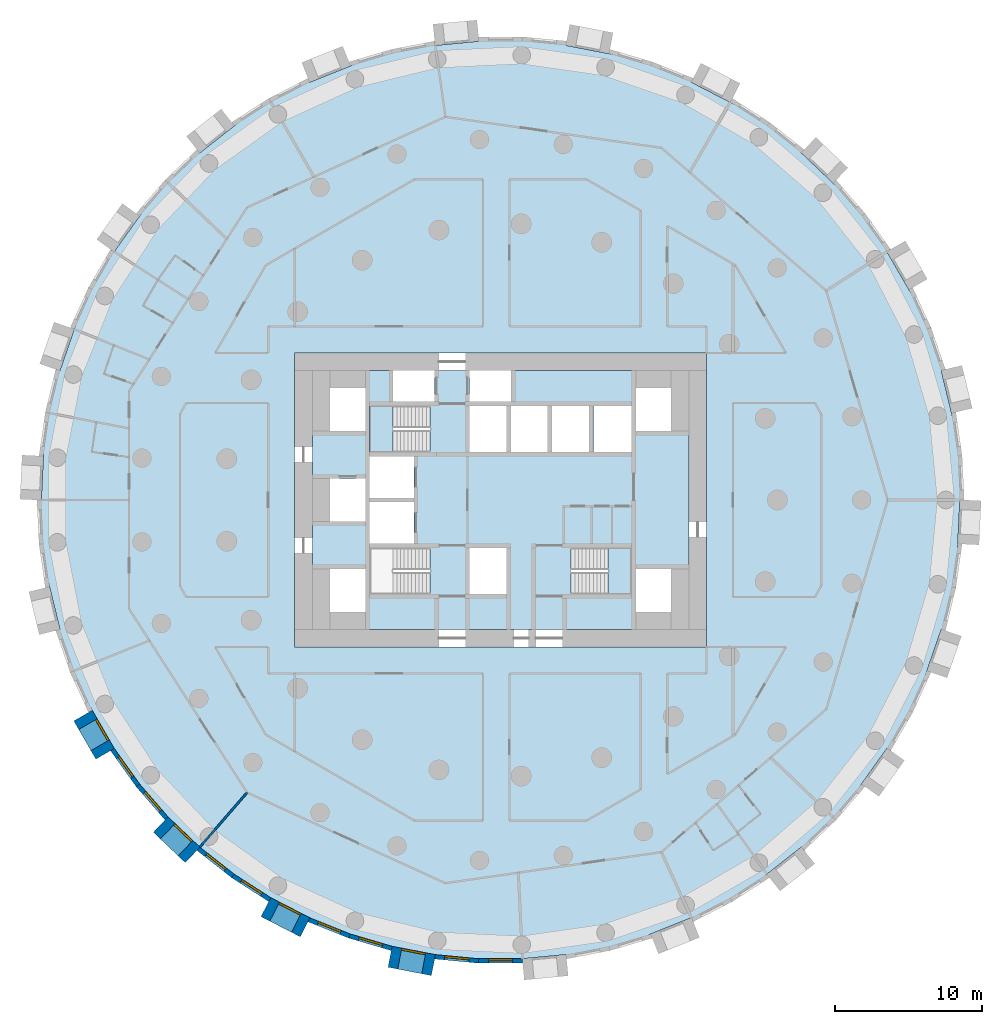
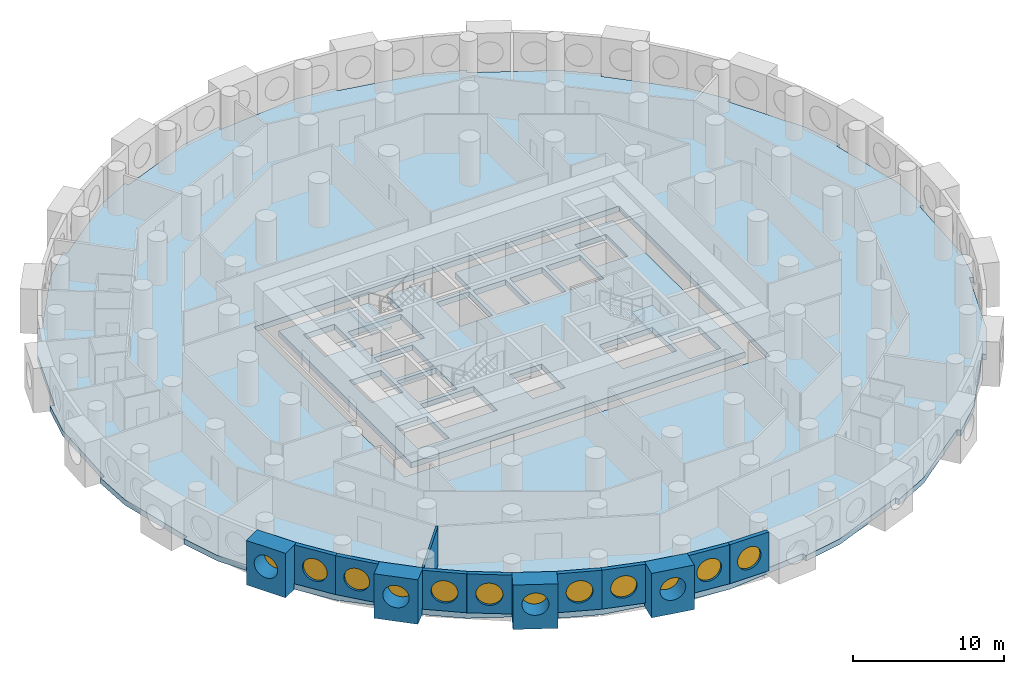
# One storey, part 2 of 11: 13 walls, 12 windows, 4 slabs, 12 openings, 2 elements without a shape of their own.
"""IFC4 building model written with IfcOpenShell, lengths in metres."""

from ifc_helpers import new_model, si_unit, direction, frame, frame_2d, origin, origin_2d, place, context, subcontext, project, spatial, polyline, rectangle, circle, outline, extrude, material, layer, layer_set, type_object, element, fill, aggregate, save


model = new_model("IFC4")

# Units and contexts
model_context = context("Model", 3, precision=1e-05, world=origin(), true_north=direction((0.0, 1.0)))
body_context = subcontext(model_context, "Body", "Model", "MODEL_VIEW")
ifc_project = project(units=[si_unit("LENGTHUNIT", "METRE"), si_unit("AREAUNIT", "SQUARE_METRE"), si_unit("VOLUMEUNIT", "CUBIC_METRE"), si_unit("PLANEANGLEUNIT", "RADIAN"), si_unit("MASSUNIT", "GRAM", prefix="KILO")], contexts=[model_context])

# Site, building, storey
site_placement = place(None, origin())
site = spatial("IfcSite", under=ifc_project, at=site_placement, CompositionType="ELEMENT")
building_placement = place(site_placement, origin())
building = spatial("IfcBuilding", under=site, at=building_placement, Name="Tracery Tower", CompositionType="ELEMENT")
storey_placement = place(building_placement, frame((0.0, 0.0, 67.800048828125)))
storey = spatial("IfcBuildingStorey", under=building, at=storey_placement, Name="L16", CompositionType="ELEMENT", Elevation=67.800048828125)

# Slabs
ifc_material_1 = material(Name="Concrete C60/75", Category="concrete")
ifc_layer_1 = layer(ifc_material_1, 0.449951171875)
ifc_layer_set_1 = layer_set([ifc_layer_1], Name="Core floor slab 450 C60")
slab_type_1 = type_object("IfcSlabType", Name="Core floor slab 450 C60", PredefinedType="FLOOR", material=ifc_layer_set_1)
slab_1_placement = place(storey_placement, frame((0.0, 0.0, -0.449951171875)))
element("IfcSlab", 1, at=slab_1_placement, inside=storey, type_object=slab_type_1, Name="L16 core floor 1", PredefinedType="FLOOR", context=body_context, shape_type="SweptSolid", body=[
    extrude(outline(polyline([(-12.800048828125, 8.800048828125), (-7.300048828125, 8.800048828125), (-7.300048828125, 6.699951171875), (-4.5, 6.699951171875), (-4.5, 8.800048828125), (-2.10009765625, 8.800048828125), (-2.10009765625, 6.699951171875), (0.699951171875, 6.699951171875), (0.699951171875, 8.800048828125), (12.800048828125, 8.800048828125), (12.800048828125, -8.800048828125), (-12.800048828125, -8.800048828125), (-12.800048828125, 8.800048828125)]), holes=[polyline([(11.60009765625, -7.60009765625), (11.60009765625, -4.699951171875), (9.199951171875, -4.699951171875), (9.199951171875, -7.60009765625), (11.60009765625, -7.60009765625)]), polyline([(11.60009765625, 4.699951171875), (11.60009765625, 7.60009765625), (9.199951171875, 7.60009765625), (9.199951171875, 4.699951171875), (11.60009765625, 4.699951171875)]), polyline([(4.800537109375, -3.25), (4.800537109375, -6.39990234375), (8.89990234375, -6.39990234375), (8.89990234375, -3.25), (4.800537109375, -3.25)]), polyline([(6.300048828125, 3.25), (8.89990234375, 3.25), (8.89990234375, 6.39990234375), (6.300048828125, 6.39990234375), (6.300048828125, 3.25)]), polyline([(3.5, 3.25), (6.0, 3.25), (6.0, 6.39990234375), (3.5, 6.39990234375), (3.5, 3.25)]), polyline([(3.199951171875, 3.25), (3.199951171875, 6.39990234375), (0.699951171875, 6.39990234375), (0.699951171875, 3.25), (3.199951171875, 3.25)]), polyline([(-2.10009765625, 3.25), (0.39990234375, 3.25), (0.39990234375, 6.39990234375), (-2.10009765625, 6.39990234375), (-2.10009765625, 3.25)]), polyline([(0.39990234375, -6.39990234375), (0.39990234375, -3.25), (-2.10009765625, -3.25), (-2.10009765625, -6.39990234375), (0.39990234375, -6.39990234375)]), polyline([(-4.800537109375, -3.25), (-8.89990234375, -3.25), (-8.89990234375, -6.39990234375), (-4.800537109375, -6.39990234375), (-4.800537109375, -3.25)]), polyline([(-4.800537109375, 6.39990234375), (-8.89990234375, 6.39990234375), (-8.89990234375, 3.25), (-4.800537109375, 3.25), (-4.800537109375, 6.39990234375)]), polyline([(-8.89990234375, -2.949951171875), (-5.89990234375, -2.949951171875), (-5.89990234375, -0.14990234375), (-8.89990234375, -0.14990234375), (-8.89990234375, -2.949951171875)]), polyline([(-5.89990234375, 0.14990234375), (-5.89990234375, 2.949951171875), (-8.89990234375, 2.949951171875), (-8.89990234375, 0.14990234375), (-5.89990234375, 0.14990234375)]), polyline([(-11.60009765625, 4.699951171875), (-9.199951171875, 4.699951171875), (-9.199951171875, 7.60009765625), (-11.60009765625, 7.60009765625), (-11.60009765625, 4.699951171875)]), polyline([(-9.199951171875, -7.60009765625), (-9.199951171875, -4.699951171875), (-11.60009765625, -4.699951171875), (-11.60009765625, -7.60009765625), (-9.199951171875, -7.60009765625)]), polyline([(-9.199951171875, -1.449951171875), (-9.199951171875, 1.449951171875), (-11.60009765625, 1.449951171875), (-11.60009765625, -1.449951171875), (-9.199951171875, -1.449951171875)])]), origin(), (0.0, 0.0, 1.0), 0.449951171875),
])
ifc_material_2 = material(Name="Concrete C50/60", Category="concrete")
ifc_layer_2 = layer(ifc_material_2, 0.449951171875)
ifc_layer_set_2 = layer_set([ifc_layer_2], Name="Floor slab 450")
slab_type_2 = type_object("IfcSlabType", Name="Floor slab 450", PredefinedType="FLOOR", material=ifc_layer_set_2)
slab_2_placement = place(storey_placement, frame((0.0, 0.0, -0.449951171875)))
element("IfcSlab", 2, at=slab_2_placement, inside=storey, type_object=slab_type_2, Name="Floor slab L16", PredefinedType="FLOOR", context=body_context, shape_type="SweptSolid", body=[
    extrude(outline(polyline([(30.663330078125, 5.8955078125), (30.663330078125, 5.895263671875), (30.66015625, 5.908447265625), (30.659912109375, 5.9091796875), (30.6015625, 6.150390625), (29.9560546875, 8.810791015625), (30.24755859375, 8.881591796875), (30.24755859375, 8.881591796875), (29.266357421875, 11.716552734375), (27.760498046875, 14.29541015625), (27.760498046875, 14.29541015625), (27.7548828125, 14.3046875), (27.753173828125, 14.307861328125), (26.267578125, 16.881103515625), (26.267578125, 16.881103515625), (26.260498046875, 16.8935546875), (26.52001953125, 17.04345703125), (26.520263671875, 17.04345703125), (24.780029296875, 19.4873046875), (22.6083984375, 21.537353515625), (22.6083984375, 21.537353515625), (21.854736328125, 22.256103515625), (20.447509765625, 23.59765625), (20.447509765625, 23.59765625), (20.437255859375, 23.607666015625), (20.64404296875, 23.824462890625), (20.644287109375, 23.82470703125), (18.2861328125, 25.67919921875), (15.625, 27.034423828125), (15.624755859375, 27.034423828125), (15.614990234375, 27.03955078125), (15.612060546875, 27.041015625), (13.0693359375, 28.351806640625), (12.958251953125, 28.4091796875), (13.095703125, 28.67578125), (10.310791015625, 29.790771484375), (7.37548828125, 30.341552734375), (7.37548828125, 30.34130859375), (7.114501953125, 30.3916015625), (4.443603515625, 30.906494140625), (4.443603515625, 30.906494140625), (4.4296875, 30.9091796875), (4.486328125, 31.203369140625), (4.486328125, 31.20361328125), (1.5, 31.489013671875), (-1.471435546875, 31.190185546875), (-1.471435546875, 31.190185546875), (-1.859375, 31.1533203125), (-4.443603515625, 30.906494140625), (-4.443603515625, 30.906494140625), (-4.4580078125, 30.905029296875), (-4.486328125, 31.20361328125), (-7.43212890625, 30.635986328125), (-10.19921875, 29.512451171875), (-10.19921875, 29.51220703125), (-12.984375, 28.397216796875), (-13.095703125, 28.67578125), (-13.095703125, 28.67578125), (-15.76220703125, 27.301025390625), (-18.1005859375, 25.443359375), (-18.1005859375, 25.443359375), (-18.103271484375, 25.44140625), (-18.11181640625, 25.4345703125), (-20.447509765625, 23.59765625), (-20.447509765625, 23.59765625), (-20.458740234375, 23.5888671875), (-20.644287109375, 23.82470703125), (-22.8154296875, 21.75439453125), (-24.53564453125, 19.313232421875), (-24.53564453125, 19.313232421875), (-24.81201171875, 18.9248046875), (-26.267578125, 16.881103515625), (-26.267578125, 16.881103515625), (-26.27587890625, 16.869384765625), (-26.520263671875, 17.04345703125), (-28.020263671875, 14.4453125), (-28.98291015625, 11.618408203125), (-28.98291015625, 11.618408203125), (-29.964111328125, 8.783447265625), (-30.24755859375, 8.881591796875), (-30.954833984375, 5.966064453125), (-31.082275390625, 2.982421875), (-31.082275390625, 2.982421875), (-31.224853515625, -0.014404296875), (-31.524658203125, 0.0), (-31.524658203125, 0.0), (-31.3818359375, -2.99658203125), (-30.663330078125, -5.8955078125), (-30.663330078125, -5.895263671875), (-30.66015625, -5.908447265625), (-30.659912109375, -5.9091796875), (-30.6015625, -6.150390625), (-29.9560546875, -8.810791015625), (-30.24755859375, -8.881591796875), (-30.24755859375, -8.881591796875), (-29.266357421875, -11.716552734375), (-27.760498046875, -14.29541015625), (-27.760498046875, -14.29541015625), (-27.7548828125, -14.3046875), (-27.753173828125, -14.307861328125), (-26.267578125, -16.881103515625), (-26.267578125, -16.881103515625), (-26.260498046875, -16.8935546875), (-26.52001953125, -17.04345703125), (-26.520263671875, -17.04345703125), (-24.780029296875, -19.4873046875), (-22.6083984375, -21.537353515625), (-22.6083984375, -21.537353515625), (-21.854736328125, -22.256103515625), (-20.447509765625, -23.59765625), (-20.447509765625, -23.59765625), (-20.437255859375, -23.607666015625), (-20.64404296875, -23.824462890625), (-20.644287109375, -23.82470703125), (-18.2861328125, -25.67919921875), (-15.625, -27.034423828125), (-15.624755859375, -27.034423828125), (-15.614990234375, -27.03955078125), (-15.612060546875, -27.041015625), (-13.0693359375, -28.351806640625), (-12.958251953125, -28.4091796875), (-13.095703125, -28.67578125), (-10.310791015625, -29.790771484375), (-7.37548828125, -30.341552734375), (-7.37548828125, -30.34130859375), (-7.114501953125, -30.3916015625), (-4.443603515625, -30.906494140625), (-4.443603515625, -30.906494140625), (-4.4296875, -30.9091796875), (-4.486328125, -31.203369140625), (-4.486328125, -31.20361328125), (-1.5, -31.489013671875), (1.471435546875, -31.190185546875), (1.471435546875, -31.190185546875), (1.859375, -31.1533203125), (4.443603515625, -30.906494140625), (4.443603515625, -30.906494140625), (4.4580078125, -30.905029296875), (4.486328125, -31.20361328125), (7.43212890625, -30.635986328125), (10.19921875, -29.512451171875), (10.19921875, -29.51220703125), (12.984375, -28.397216796875), (13.095703125, -28.67578125), (13.095703125, -28.67578125), (15.76220703125, -27.301025390625), (18.1005859375, -25.443359375), (18.1005859375, -25.443359375), (18.103271484375, -25.44140625), (18.11181640625, -25.4345703125), (20.447509765625, -23.59765625), (20.447509765625, -23.59765625), (20.458740234375, -23.5888671875), (20.644287109375, -23.82470703125), (22.8154296875, -21.75439453125), (24.53564453125, -19.313232421875), (24.53564453125, -19.313232421875), (24.81201171875, -18.9248046875), (26.267578125, -16.881103515625), (26.267578125, -16.881103515625), (26.27587890625, -16.869384765625), (26.520263671875, -17.04345703125), (28.020263671875, -14.4453125), (28.98291015625, -11.618408203125), (28.98291015625, -11.618408203125), (29.964111328125, -8.783447265625), (30.24755859375, -8.881591796875), (30.954833984375, -5.966064453125), (31.082275390625, -2.982421875), (31.082275390625, -2.982421875), (31.224853515625, 0.014404296875), (31.524658203125, 0.0), (31.3818359375, 2.99658203125), (30.663330078125, 5.8955078125)]), holes=[polyline([(-14.0, -10.0), (14.0, -10.0), (14.0, 10.0), (-14.0, 10.0), (-14.0, -10.0)])]), origin(), (0.0, 0.0, 1.0), 0.449951171875),
])

# Stair, slab
ifc_material_3 = material(Name="Concrete C32/40", Category="concrete")
stair_type = type_object("IfcStairType", Name="Core stair 22 risers", PredefinedType="HALF_TURN_STAIR", material=ifc_material_3)
stair_1_placement = place(storey_placement, origin())
stair_1 = element("IfcStair", 3, at=stair_1_placement, inside=storey, type_object=stair_type, Name="L16 stair ST3", PredefinedType="HALF_TURN_STAIR")
ifc_material_4 = material(Name="Concrete C32/40", Category="concrete")
ifc_layer_3 = layer(ifc_material_4, 0.199951171875)
ifc_layer_set_3 = layer_set([ifc_layer_3], Name="Stair landing slab 200")
slab_type_3 = type_object("IfcSlabType", Name="Stair landing slab 200", PredefinedType="LANDING", material=ifc_layer_set_3)
slab_3_placement = place(storey_placement, frame((0.0, 0.0, 1.599853515625)))
slab_3 = element("IfcSlab", 4, at=slab_3_placement, type_object=slab_type_3, Name="ST3 landing 1", PredefinedType="LANDING", context=body_context, shape_type="SweptSolid", body=[
    extrude(outline(polyline([(-7.29931640625, 6.39990234375), (-8.89990234375, 6.39990234375), (-8.89990234375, 3.25), (-7.29931640625, 3.25), (-7.29931640625, 6.39990234375)])), origin(), (0.0, 0.0, 1.0), 0.2001953125),
])
aggregate(stair_1, [slab_3])

stair_2_placement = place(storey_placement, origin())
stair_2 = element("IfcStair", 5, at=stair_2_placement, inside=storey, type_object=stair_type, Name="L16 stair ST2", PredefinedType="HALF_TURN_STAIR")
slab_4_placement = place(storey_placement, frame((0.0, 0.0, 1.599853515625)))
slab_4 = element("IfcSlab", 6, at=slab_4_placement, type_object=slab_type_3, Name="ST2 landing 1", PredefinedType="LANDING", context=body_context, shape_type="SweptSolid", body=[
    extrude(outline(polyline([(7.29931640625, -6.39990234375), (8.89990234375, -6.39990234375), (8.89990234375, -3.25), (7.29931640625, -3.25), (7.29931640625, -6.39990234375)])), origin(), (0.0, 0.0, 1.0), 0.2001953125),
])
aggregate(stair_2, [slab_4])

# Wall, opening, window
ifc_material_5 = material(Name="Precast concrete C50/60", Category="concrete")
ifc_layer_4 = layer(ifc_material_5, 1.449951171875)
ifc_layer_set_4 = layer_set([ifc_layer_4], Name="Deep-set bay unit 3000 x 3600, slab edge 450")
wall_type_1 = type_object("IfcWallType", Name="Deep-set bay unit 3000 x 3600, slab edge 450", PredefinedType="ELEMENTEDWALL", material=ifc_layer_set_4)
wall_1_placement = place(storey_placement, frame((-28.38818359375, -14.657958984375, -0.449951171875), z_axis=(0.0, 0.0, 1.0), x_axis=(0.499990139034, -0.866031096941, 0.0)))
wall_1 = element("IfcWall", 7, at=wall_1_placement, inside=storey, type_object=wall_type_1, Name="Deep-set bay unit 39 at L16", PredefinedType="ELEMENTEDWALL", context=body_context, shape_type="SweptSolid", body=[
    extrude(rectangle(XDim=3.0, YDim=1.449951171875, at=frame_2d((1.5, 0.0))), origin(), (0.0, 0.0, 1.0), 3.599853515625),
])
opening_1_placement = place(wall_1_placement, frame((1.5, 0.0, 2.0)))
opening_1 = element("IfcOpeningElement", 8, at=opening_1_placement, cuts=wall_1, Name="Opening WN1", PredefinedType="OPENING", context=body_context, shape_type="SweptSolid", body=[
    extrude(circle(Radius=0.9000244140625, at=origin_2d()), frame((0.0, 0.73486328125, 0.0), z_axis=(0.0, -1.0, 0.0), x_axis=(1.0, 0.0, 0.0)), (0.0, 0.0, 1.0), 1.469970703125),
])
ifc_material_6 = material(Name="Aluminium frame with tinted double glazing", Category="aluminium")
window_type = type_object("IfcWindowType", Name="Round window 1800", PartitioningType="SINGLE_PANEL", PredefinedType="WINDOW", material=ifc_material_6)
window_1_placement = place(opening_1_placement, origin())
window_1 = element("IfcWindow", 9, at=window_1_placement, inside=storey, type_object=window_type, Name="Round window 39 at L16", OverallHeight=1.800048828125, OverallWidth=1.800048828125, PartitioningType="SINGLE_PANEL", PredefinedType="WINDOW", context=body_context, shape_type="SweptSolid", body=[
    extrude(circle(Radius=0.9000244140625, at=origin_2d()), frame((0.0, 0.69482421875, 0.0), z_axis=(0.0, -1.0, 0.0), x_axis=(1.0, 0.0, 0.0)), (0.0, 0.0, 1.0), 0.10009765625),
])
fill(opening_1, window_1)

wall_2_placement = place(storey_placement, frame((-23.108642578125, -22.06201171875, -0.449951171875), z_axis=(0.0, 0.0, 1.0), x_axis=(0.723712023899, -0.690102098579, 0.0)))
wall_2 = element("IfcWall", 10, at=wall_2_placement, inside=storey, type_object=wall_type_1, Name="Deep-set bay unit 42 at L16", PredefinedType="ELEMENTEDWALL", context=body_context, shape_type="SweptSolid", body=[
    extrude(rectangle(XDim=3.0, YDim=1.449951171875, at=frame_2d((1.5, 0.0))), origin(), (0.0, 0.0, 1.0), 3.599853515625),
])
opening_2_placement = place(wall_2_placement, frame((1.5, 0.0, 2.0)))
opening_2 = element("IfcOpeningElement", 11, at=opening_2_placement, cuts=wall_2, Name="Opening WN1", PredefinedType="OPENING", context=body_context, shape_type="SweptSolid", body=[
    extrude(circle(Radius=0.9000244140625, at=origin_2d()), frame((0.0, 0.73486328125, 0.0), z_axis=(0.0, -1.0, 0.0), x_axis=(1.0, 0.0, 0.0)), (0.0, 0.0, 1.0), 1.469970703125),
])
window_2_placement = place(opening_2_placement, origin())
window_2 = element("IfcWindow", 12, at=window_2_placement, inside=storey, type_object=window_type, Name="Round window 42 at L16", OverallHeight=1.800048828125, OverallWidth=1.800048828125, PartitioningType="SINGLE_PANEL", PredefinedType="WINDOW", context=body_context, shape_type="SweptSolid", body=[
    extrude(circle(Radius=0.9000244140625, at=origin_2d()), frame((0.0, 0.69482421875, 0.0), z_axis=(0.0, -1.0, 0.0), x_axis=(1.0, 0.0, 0.0)), (0.0, 0.0, 1.0), 0.10009765625),
])
fill(opening_2, window_2)

wall_3_placement = place(storey_placement, frame((-15.95703125, -27.678955078125, -0.449951171875), z_axis=(0.0, 0.0, 1.0), x_axis=(0.888858064689, -0.458182650083, 0.0)))
wall_3 = element("IfcWall", 13, at=wall_3_placement, inside=storey, type_object=wall_type_1, Name="Deep-set bay unit 45 at L16", PredefinedType="ELEMENTEDWALL", context=body_context, shape_type="SweptSolid", body=[
    extrude(rectangle(XDim=3.0, YDim=1.449951171875, at=frame_2d((1.5, 0.0))), origin(), (0.0, 0.0, 1.0), 3.599853515625),
])
opening_3_placement = place(wall_3_placement, frame((1.5, 0.0, 2.0)))
opening_3 = element("IfcOpeningElement", 14, at=opening_3_placement, cuts=wall_3, Name="Opening WN1", PredefinedType="OPENING", context=body_context, shape_type="SweptSolid", body=[
    extrude(circle(Radius=0.9000244140625, at=origin_2d()), frame((0.0, 0.73486328125, 0.0), z_axis=(0.0, -1.0, 0.0), x_axis=(1.0, 0.0, 0.0)), (0.0, 0.0, 1.0), 1.469970703125),
])
window_3_placement = place(opening_3_placement, origin())
window_3 = element("IfcWindow", 15, at=window_3_placement, inside=storey, type_object=window_type, Name="Round window 45 at L16", OverallHeight=1.800048828125, OverallWidth=1.800048828125, PartitioningType="SINGLE_PANEL", PredefinedType="WINDOW", context=body_context, shape_type="SweptSolid", body=[
    extrude(circle(Radius=0.9000244140625, at=origin_2d()), frame((0.0, 0.69482421875, 0.0), z_axis=(0.0, -1.0, 0.0), x_axis=(1.0, 0.0, 0.0)), (0.0, 0.0, 1.0), 0.10009765625),
])
fill(opening_3, window_3)

wall_4_placement = place(storey_placement, frame((-7.5126953125, -31.05322265625, -0.449951171875), z_axis=(0.0, 0.0, 1.0), x_axis=(0.981921602273, -0.189288052949, 0.0)))
wall_4 = element("IfcWall", 16, at=wall_4_placement, inside=storey, type_object=wall_type_1, Name="Deep-set bay unit 48 at L16", PredefinedType="ELEMENTEDWALL", context=body_context, shape_type="SweptSolid", body=[
    extrude(rectangle(XDim=3.0, YDim=1.449951171875, at=frame_2d((1.5, 0.0))), origin(), (0.0, 0.0, 1.0), 3.599853515625),
])
opening_4_placement = place(wall_4_placement, frame((1.5, 0.0, 2.0)))
opening_4 = element("IfcOpeningElement", 17, at=opening_4_placement, cuts=wall_4, Name="Opening WN1", PredefinedType="OPENING", context=body_context, shape_type="SweptSolid", body=[
    extrude(circle(Radius=0.9000244140625, at=origin_2d()), frame((0.0, 0.73486328125, 0.0), z_axis=(0.0, -1.0, 0.0), x_axis=(1.0, 0.0, 0.0)), (0.0, 0.0, 1.0), 1.469970703125),
])
window_4_placement = place(opening_4_placement, origin())
window_4 = element("IfcWindow", 18, at=window_4_placement, inside=storey, type_object=window_type, Name="Round window 48 at L16", OverallHeight=1.800048828125, OverallWidth=1.800048828125, PartitioningType="SINGLE_PANEL", PredefinedType="WINDOW", context=body_context, shape_type="SweptSolid", body=[
    extrude(circle(Radius=0.9000244140625, at=origin_2d()), frame((0.0, 0.69482421875, 0.0), z_axis=(0.0, -1.0, 0.0), x_axis=(1.0, 0.0, 0.0)), (0.0, 0.0, 1.0), 0.10009765625),
])
fill(opening_4, window_4)

ifc_material_7 = material(Name="Precast concrete C50/60", Category="concrete")
ifc_layer_5 = layer(ifc_material_7, 0.300048828125)
ifc_layer_set_5 = layer_set([ifc_layer_5], Name="Facade panel 3000 x 3150")
wall_type_2 = type_object("IfcWallType", Name="Facade panel 3000 x 3150", PredefinedType="SOLIDWALL", material=ifc_layer_set_5)
wall_5_placement = place(storey_placement, frame((-26.390380859375, -16.96728515625, 0.0), z_axis=(0.0, 0.0, 1.0), x_axis=(0.580113774115, -0.814535456, 0.0)))
wall_5 = element("IfcWall", 19, at=wall_5_placement, inside=storey, type_object=wall_type_2, Name="Facade panel 40 at L16", PredefinedType="SOLIDWALL", context=body_context, shape_type="SweptSolid", body=[
    extrude(rectangle(XDim=2.979736328125, YDim=0.300048828125, at=frame_2d((1.48974609375, 0.0))), origin(), (0.0, 0.0, 1.0), 3.14990234375),
])
opening_5_placement = place(wall_5_placement, frame((1.48974609375, 0.0, 1.5498046875)))
opening_5 = element("IfcOpeningElement", 20, at=opening_5_placement, cuts=wall_5, Name="Opening WN1", PredefinedType="OPENING", context=body_context, shape_type="SweptSolid", body=[
    extrude(circle(Radius=0.9000244140625, at=origin_2d()), frame((0.0, 0.159912109375, 0.0), z_axis=(0.0, -1.0, 0.0), x_axis=(1.0, 0.0, 0.0)), (0.0, 0.0, 1.0), 0.320068359375),
])
window_5_placement = place(opening_5_placement, origin())
window_5 = element("IfcWindow", 21, at=window_5_placement, inside=storey, type_object=window_type, Name="Round window 40 at L16", OverallHeight=1.800048828125, OverallWidth=1.800048828125, PartitioningType="SINGLE_PANEL", PredefinedType="WINDOW", context=body_context, shape_type="SweptSolid", body=[
    extrude(circle(Radius=0.9000244140625, at=origin_2d()), frame((0.0, 0.1201171875, 0.0), z_axis=(0.0, -1.0, 0.0), x_axis=(1.0, 0.0, 0.0)), (0.0, 0.0, 1.0), 0.10009765625),
])
fill(opening_5, window_5)

wall_6_placement = place(storey_placement, frame((-24.661865234375, -19.394287109375, 0.0), z_axis=(0.0, 0.0, 1.0), x_axis=(0.654830712471, -0.755775587066, 0.0)))
wall_6 = element("IfcWall", 22, at=wall_6_placement, inside=storey, type_object=wall_type_2, Name="Facade panel 41 at L16", PredefinedType="SOLIDWALL", context=body_context, shape_type="SweptSolid", body=[
    extrude(rectangle(XDim=2.979736328125, YDim=0.300048828125, at=frame_2d((1.48974609375, 0.0))), origin(), (0.0, 0.0, 1.0), 3.14990234375),
])
opening_6_placement = place(wall_6_placement, frame((1.48974609375, 0.0, 1.5498046875)))
opening_6 = element("IfcOpeningElement", 23, at=opening_6_placement, cuts=wall_6, Name="Opening WN1", PredefinedType="OPENING", context=body_context, shape_type="SweptSolid", body=[
    extrude(circle(Radius=0.9000244140625, at=origin_2d()), frame((0.0, 0.159912109375, 0.0), z_axis=(0.0, -1.0, 0.0), x_axis=(1.0, 0.0, 0.0)), (0.0, 0.0, 1.0), 0.320068359375),
])
window_6_placement = place(opening_6_placement, origin())
window_6 = element("IfcWindow", 24, at=window_6_placement, inside=storey, type_object=window_type, Name="Round window 41 at L16", OverallHeight=1.800048828125, OverallWidth=1.800048828125, PartitioningType="SINGLE_PANEL", PredefinedType="WINDOW", context=body_context, shape_type="SweptSolid", body=[
    extrude(circle(Radius=0.9000244140625, at=origin_2d()), frame((0.0, 0.1201171875, 0.0), z_axis=(0.0, -1.0, 0.0), x_axis=(1.0, 0.0, 0.0)), (0.0, 0.0, 1.0), 0.10009765625),
])
fill(opening_6, window_6)

wall_7_placement = place(storey_placement, frame((-20.541015625, -23.715087890625, 0.0), z_axis=(0.0, 0.0, 1.0), x_axis=(0.786053834673, -0.618158045322, 0.0)))
wall_7 = element("IfcWall", 25, at=wall_7_placement, inside=storey, type_object=wall_type_2, Name="Facade panel 43 at L16", PredefinedType="SOLIDWALL", context=body_context, shape_type="SweptSolid", body=[
    extrude(rectangle(XDim=2.9794921875, YDim=0.300048828125, at=frame_2d((1.48974609375, 0.0))), origin(), (0.0, 0.0, 1.0), 3.14990234375),
])
opening_7_placement = place(wall_7_placement, frame((1.48974609375, 0.0, 1.5498046875)))
opening_7 = element("IfcOpeningElement", 26, at=opening_7_placement, cuts=wall_7, Name="Opening WN1", PredefinedType="OPENING", context=body_context, shape_type="SweptSolid", body=[
    extrude(circle(Radius=0.9000244140625, at=origin_2d()), frame((0.0, 0.159912109375, 0.0), z_axis=(0.0, -1.0, 0.0), x_axis=(1.0, 0.0, 0.0)), (0.0, 0.0, 1.0), 0.320068359375),
])
window_7_placement = place(opening_7_placement, origin())
window_7 = element("IfcWindow", 27, at=window_7_placement, inside=storey, type_object=window_type, Name="Round window 43 at L16", OverallHeight=1.800048828125, OverallWidth=1.800048828125, PartitioningType="SINGLE_PANEL", PredefinedType="WINDOW", context=body_context, shape_type="SweptSolid", body=[
    extrude(circle(Radius=0.9000244140625, at=origin_2d()), frame((0.0, 0.1201171875, 0.0), z_axis=(0.0, -1.0, 0.0), x_axis=(1.0, 0.0, 0.0)), (0.0, 0.0, 1.0), 0.10009765625),
])
fill(opening_7, window_7)

wall_8_placement = place(storey_placement, frame((-18.198974609375, -25.556884765625, 0.0), z_axis=(0.0, 0.0, 1.0), x_axis=(0.841260995538, -0.54062920508, 0.0)))
wall_8 = element("IfcWall", 28, at=wall_8_placement, inside=storey, type_object=wall_type_2, Name="Facade panel 44 at L16", PredefinedType="SOLIDWALL", context=body_context, shape_type="SweptSolid", body=[
    extrude(rectangle(XDim=2.9794921875, YDim=0.300048828125, at=frame_2d((1.48974609375, 0.0))), origin(), (0.0, 0.0, 1.0), 3.14990234375),
])
opening_8_placement = place(wall_8_placement, frame((1.48974609375, 0.0, 1.5498046875)))
opening_8 = element("IfcOpeningElement", 29, at=opening_8_placement, cuts=wall_8, Name="Opening WN1", PredefinedType="OPENING", context=body_context, shape_type="SweptSolid", body=[
    extrude(circle(Radius=0.9000244140625, at=origin_2d()), frame((0.0, 0.159912109375, 0.0), z_axis=(0.0, -1.0, 0.0), x_axis=(1.0, 0.0, 0.0)), (0.0, 0.0, 1.0), 0.320068359375),
])
window_8_placement = place(opening_8_placement, origin())
window_8 = element("IfcWindow", 30, at=window_8_placement, inside=storey, type_object=window_type, Name="Round window 44 at L16", OverallHeight=1.800048828125, OverallWidth=1.800048828125, PartitioningType="SINGLE_PANEL", PredefinedType="WINDOW", context=body_context, shape_type="SweptSolid", body=[
    extrude(circle(Radius=0.9000244140625, at=origin_2d()), frame((0.0, 0.1201171875, 0.0), z_axis=(0.0, -1.0, 0.0), x_axis=(1.0, 0.0, 0.0)), (0.0, 0.0, 1.0), 0.10009765625),
])
fill(opening_8, window_8)

wall_9_placement = place(storey_placement, frame((-13.02783203125, -28.54150390625, 0.0), z_axis=(0.0, 0.0, 1.0), x_axis=(0.928374947, -0.371644935098, 0.0)))
wall_9 = element("IfcWall", 31, at=wall_9_placement, inside=storey, type_object=wall_type_2, Name="Facade panel 46 at L16", PredefinedType="SOLIDWALL", context=body_context, shape_type="SweptSolid", body=[
    extrude(rectangle(XDim=2.979736328125, YDim=0.300048828125, at=frame_2d((1.48974609375, 0.0))), origin(), (0.0, 0.0, 1.0), 3.14990234375),
])
opening_9_placement = place(wall_9_placement, frame((1.48974609375, 0.0, 1.5498046875)))
opening_9 = element("IfcOpeningElement", 32, at=opening_9_placement, cuts=wall_9, Name="Opening WN1", PredefinedType="OPENING", context=body_context, shape_type="SweptSolid", body=[
    extrude(circle(Radius=0.9000244140625, at=origin_2d()), frame((0.0, 0.159912109375, 0.0), z_axis=(0.0, -1.0, 0.0), x_axis=(1.0, 0.0, 0.0)), (0.0, 0.0, 1.0), 0.320068359375),
])
window_9_placement = place(opening_9_placement, origin())
window_9 = element("IfcWindow", 33, at=window_9_placement, inside=storey, type_object=window_type, Name="Round window 46 at L16", OverallHeight=1.800048828125, OverallWidth=1.800048828125, PartitioningType="SINGLE_PANEL", PredefinedType="WINDOW", context=body_context, shape_type="SweptSolid", body=[
    extrude(circle(Radius=0.9000244140625, at=origin_2d()), frame((0.0, 0.1201171875, 0.0), z_axis=(0.0, -1.0, 0.0), x_axis=(1.0, 0.0, 0.0)), (0.0, 0.0, 1.0), 0.10009765625),
])
fill(opening_9, window_9)

wall_10_placement = place(storey_placement, frame((-10.261474609375, -29.64892578125, 0.0), z_axis=(0.0, 0.0, 1.0), x_axis=(0.959501085144, -0.281704930036, 0.0)))
wall_10 = element("IfcWall", 34, at=wall_10_placement, inside=storey, type_object=wall_type_2, Name="Facade panel 47 at L16", PredefinedType="SOLIDWALL", context=body_context, shape_type="SweptSolid", body=[
    extrude(rectangle(XDim=2.9794921875, YDim=0.300048828125, at=frame_2d((1.48974609375, 0.0))), origin(), (0.0, 0.0, 1.0), 3.14990234375),
])
opening_10_placement = place(wall_10_placement, frame((1.48974609375, 0.0, 1.5498046875)))
opening_10 = element("IfcOpeningElement", 35, at=opening_10_placement, cuts=wall_10, Name="Opening WN1", PredefinedType="OPENING", context=body_context, shape_type="SweptSolid", body=[
    extrude(circle(Radius=0.9000244140625, at=origin_2d()), frame((0.0, 0.159912109375, 0.0), z_axis=(0.0, -1.0, 0.0), x_axis=(1.0, 0.0, 0.0)), (0.0, 0.0, 1.0), 0.320068359375),
])
window_10_placement = place(opening_10_placement, origin())
window_10 = element("IfcWindow", 36, at=window_10_placement, inside=storey, type_object=window_type, Name="Round window 47 at L16", OverallHeight=1.800048828125, OverallWidth=1.800048828125, PartitioningType="SINGLE_PANEL", PredefinedType="WINDOW", context=body_context, shape_type="SweptSolid", body=[
    extrude(circle(Radius=0.9000244140625, at=origin_2d()), frame((0.0, 0.1201171875, 0.0), z_axis=(0.0, -1.0, 0.0), x_axis=(1.0, 0.0, 0.0)), (0.0, 0.0, 1.0), 0.10009765625),
])
fill(opening_10, window_10)

wall_11_placement = place(storey_placement, frame((-4.458984375, -31.0556640625, 0.0), z_axis=(0.0, 0.0, 1.0), x_axis=(0.995472611385, -0.095048829468, 0.0)))
wall_11 = element("IfcWall", 37, at=wall_11_placement, inside=storey, type_object=wall_type_2, Name="Facade panel 49 at L16", PredefinedType="SOLIDWALL", context=body_context, shape_type="SweptSolid", body=[
    extrude(rectangle(XDim=2.9794921875, YDim=0.300048828125, at=frame_2d((1.48974609375, 0.0))), origin(), (0.0, 0.0, 1.0), 3.14990234375),
])
opening_11_placement = place(wall_11_placement, frame((1.48974609375, 0.0, 1.5498046875)))
opening_11 = element("IfcOpeningElement", 38, at=opening_11_placement, cuts=wall_11, Name="Opening WN1", PredefinedType="OPENING", context=body_context, shape_type="SweptSolid", body=[
    extrude(circle(Radius=0.9000244140625, at=origin_2d()), frame((0.0, 0.159912109375, 0.0), z_axis=(0.0, -1.0, 0.0), x_axis=(1.0, 0.0, 0.0)), (0.0, 0.0, 1.0), 0.320068359375),
])
window_11_placement = place(opening_11_placement, origin())
window_11 = element("IfcWindow", 39, at=window_11_placement, inside=storey, type_object=window_type, Name="Round window 49 at L16", OverallHeight=1.800048828125, OverallWidth=1.800048828125, PartitioningType="SINGLE_PANEL", PredefinedType="WINDOW", context=body_context, shape_type="SweptSolid", body=[
    extrude(circle(Radius=0.9000244140625, at=origin_2d()), frame((0.0, 0.1201171875, 0.0), z_axis=(0.0, -1.0, 0.0), x_axis=(1.0, 0.0, 0.0)), (0.0, 0.0, 1.0), 0.10009765625),
])
fill(opening_11, window_11)

wall_12_placement = place(storey_placement, frame((-1.492919921875, -31.3388671875, 0.0), z_axis=(0.0, 0.0, 1.0), x_axis=(1.0, 0.0, 0.0)))
wall_12 = element("IfcWall", 40, at=wall_12_placement, inside=storey, type_object=wall_type_2, Name="Facade panel 50 at L16", PredefinedType="SOLIDWALL", context=body_context, shape_type="SweptSolid", body=[
    extrude(rectangle(XDim=2.979736328125, YDim=0.300048828125, at=frame_2d((1.48974609375, 0.0))), origin(), (0.0, 0.0, 1.0), 3.14990234375),
])
opening_12_placement = place(wall_12_placement, frame((1.48974609375, 0.0, 1.5498046875)))
opening_12 = element("IfcOpeningElement", 41, at=opening_12_placement, cuts=wall_12, Name="Opening WN1", PredefinedType="OPENING", context=body_context, shape_type="SweptSolid", body=[
    extrude(circle(Radius=0.9000244140625, at=origin_2d()), frame((0.0, 0.159912109375, 0.0), z_axis=(0.0, -1.0, 0.0), x_axis=(1.0, 0.0, 0.0)), (0.0, 0.0, 1.0), 0.320068359375),
])
window_12_placement = place(opening_12_placement, origin())
window_12 = element("IfcWindow", 42, at=window_12_placement, inside=storey, type_object=window_type, Name="Round window 50 at L16", OverallHeight=1.800048828125, OverallWidth=1.800048828125, PartitioningType="SINGLE_PANEL", PredefinedType="WINDOW", context=body_context, shape_type="SweptSolid", body=[
    extrude(circle(Radius=0.9000244140625, at=origin_2d()), frame((0.0, 0.1201171875, 0.0), z_axis=(0.0, -1.0, 0.0), x_axis=(1.0, 0.0, 0.0)), (0.0, 0.0, 1.0), 0.10009765625),
])
fill(opening_12, window_12)

# Wall
ifc_material_8 = material(Name="Plasterboard on steel studs", Category="steel")
ifc_layer_6 = layer(ifc_material_8, 0.14990234375)
ifc_layer_set_6 = layer_set([ifc_layer_6], Name="Partition 150 acoustic unit wall")
wall_type_3 = type_object("IfcWallType", Name="Partition 150 acoustic unit wall", PredefinedType="PARTITIONING", material=ifc_layer_set_6)
wall_13_placement = place(storey_placement, frame((-20.447998046875, -23.597900390625, 0.0), z_axis=(0.0, 0.0, 1.0), x_axis=(0.654847179409, 0.755761319214, 0.0)))
element("IfcWall", 43, at=wall_13_placement, inside=storey, type_object=wall_type_3, Name="Unit wall RA4-084", PredefinedType="PARTITIONING", context=body_context, shape_type="SweptSolid", body=[
    extrude(rectangle(XDim=4.90625, YDim=0.14990234375, at=frame_2d((2.453125, 0.0))), origin(), (0.0, 0.0, 1.0), 3.14990234375),
])

save(model, "model.ifc")
